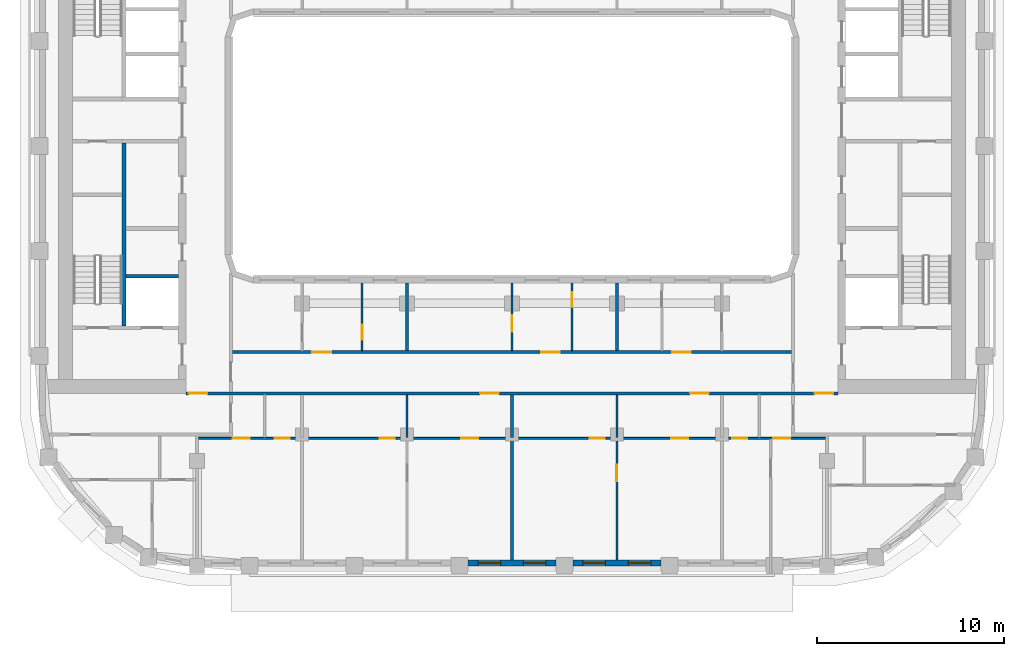
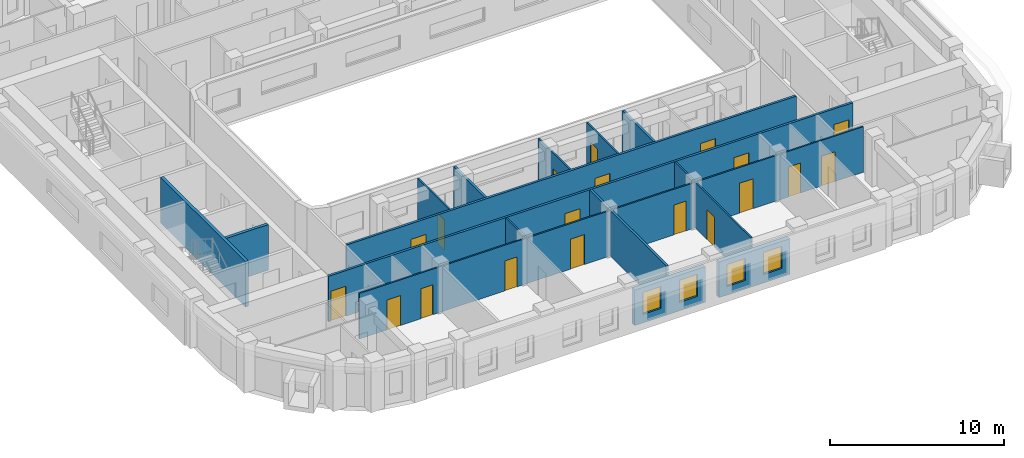
# One storey, part 3 of 21: 19 doors, 17 walls, 4 windows, 23 openings.
"""IFC4 building model written with IfcOpenShell, lengths in metres."""

from ifc_helpers import new_model, si_unit, direction, frame, frame_2d, origin, place, context, subcontext, project, spatial, rectangle, extrude, material, layer, layer_set, type_object, element, fill, save


model = new_model("IFC4")

# Units and contexts
model_context = context("Model", 3, precision=1e-05, world=origin(), true_north=direction((0.0, 1.0)))
body_context = subcontext(model_context, "Body", "Model", "MODEL_VIEW")
ifc_project = project(units=[si_unit("LENGTHUNIT", "METRE"), si_unit("AREAUNIT", "SQUARE_METRE"), si_unit("VOLUMEUNIT", "CUBIC_METRE"), si_unit("PLANEANGLEUNIT", "RADIAN"), si_unit("MASSUNIT", "GRAM", prefix="KILO")], contexts=[model_context])

# Site, building, storey
site_placement = place(None, origin())
site = spatial("IfcSite", under=ifc_project, at=site_placement, CompositionType="ELEMENT")
building_placement = place(site_placement, origin())
building = spatial("IfcBuilding", under=site, at=building_placement, Name="Kiln Ring Residences", CompositionType="ELEMENT")
storey_placement = place(building_placement, frame((0.0, 0.0, 195.89990234375)))
storey = spatial("IfcBuildingStorey", under=building, at=storey_placement, Name="L50", CompositionType="ELEMENT", Elevation=195.89990234375)

# Walls
ifc_material_1 = material(Name="Gypsum shaft wall system")
ifc_layer_1 = layer(ifc_material_1, 0.199951171875)
ifc_layer_set_1 = layer_set([ifc_layer_1], Name="CORE-SHAFT-WALL-200")
wall_type_1 = type_object("IfcWallType", Name="CORE-SHAFT-WALL-200", PredefinedType="PARTITIONING", material=ifc_layer_set_1)
wall_1_placement = place(storey_placement, frame((-17.800048828125, -6.949951171875, 0.0), z_axis=(0.0, 0.0, 1.0), x_axis=(-1.0, 0.0, 0.0)))
element("IfcWall", 1, at=wall_1_placement, inside=storey, type_object=wall_type_1, Name="Core partition west L50 3", PredefinedType="PARTITIONING", context=body_context, shape_type="SweptSolid", body=[
    extrude(rectangle(XDim=2.800048828125, YDim=0.199951171875, at=frame_2d((1.39990234375, 0.0))), origin(), (0.0, 0.0, 1.0), 3.2001953125),
])
ifc_material_2 = material(Name="Concrete C40/50", Category="concrete")
ifc_layer_2 = layer(ifc_material_2, 0.199951171875)
ifc_layer_set_2 = layer_set([ifc_layer_2], Name="CORE-WALL-RC200")
wall_type_2 = type_object("IfcWallType", Name="CORE-WALL-RC200", PredefinedType="SHEAR", material=ifc_layer_set_2)
wall_2_placement = place(storey_placement, frame((-20.699951171875, -9.60009765625, 0.0), z_axis=(0.0, 0.0, 1.0), x_axis=(0.0, 1.0, 0.0)))
element("IfcWall", 2, at=wall_2_placement, inside=storey, type_object=wall_type_2, Name="Core wall west L50 2", PredefinedType="SHEAR", context=body_context, shape_type="SweptSolid", body=[
    extrude(rectangle(XDim=9.75, YDim=0.199951171875, at=frame_2d((4.875, 0.0))), origin(), (0.0, 0.0, 1.0), 3.2001953125),
])

# Wall, openings, windows
ifc_material_3 = material(Name="Brick masonry, dark clay brick", Category="masonry")
ifc_layer_3 = layer(ifc_material_3, 0.300048828125)
ifc_layer_set_3 = layer_set([ifc_layer_3], Name="EW-300 BRICK WALL")
wall_type_3 = type_object("IfcWallType", Name="EW-300 BRICK WALL", PredefinedType="SOLIDWALL", material=ifc_layer_set_3)
wall_3_placement = place(storey_placement, frame((-2.35009765625, -22.25, 0.0), z_axis=(0.0, 0.0, 1.0), x_axis=(1.0, 0.0, 0.0)))
wall_3 = element("IfcWall", 3, at=wall_3_placement, inside=storey, type_object=wall_type_3, Name="Facade wall L50 7", PredefinedType="SOLIDWALL", context=body_context, shape_type="SweptSolid", body=[
    extrude(rectangle(XDim=4.7001953125, YDim=0.300048828125, at=frame_2d((2.35009765625, 0.0))), origin(), (0.0, 0.0, 1.0), 2.5),
])
opening_1_placement = place(wall_3_placement, frame((0.53759765625, 0.0, 0.60009765625)))
opening_1 = element("IfcOpeningElement", 4, at=opening_1_placement, cuts=wall_3, Name="Opening W1", PredefinedType="OPENING", context=body_context, shape_type="SweptSolid", body=[
    extrude(rectangle(XDim=1.199951171875, YDim=1.550048828125, at=frame_2d((0.60009765625, 0.77490234375))), frame((0.0, 0.159912109375, 0.0), z_axis=(0.0, -1.0, 0.0), x_axis=(1.0, 0.0, 0.0)), (0.0, 0.0, 1.0), 0.320068359375),
])
opening_2_placement = place(wall_3_placement, frame((2.96240234375, 0.0, 0.60009765625)))
opening_2 = element("IfcOpeningElement", 5, at=opening_2_placement, cuts=wall_3, Name="Opening W1", PredefinedType="OPENING", context=body_context, shape_type="SweptSolid", body=[
    extrude(rectangle(XDim=1.199951171875, YDim=1.550048828125, at=frame_2d((0.60009765625, 0.77490234375))), frame((0.0, 0.159912109375, 0.0), z_axis=(0.0, -1.0, 0.0), x_axis=(1.0, 0.0, 0.0)), (0.0, 0.0, 1.0), 0.320068359375),
])
ifc_material_4 = material(Name="Aluminium frame with double glazing", Category="aluminium")
window_type = type_object("IfcWindowType", Name="WINDOW 1200 x 1550", PartitioningType="SINGLE_PANEL", PredefinedType="WINDOW", material=ifc_material_4)
window_1_placement = place(opening_1_placement, origin())
window_1 = element("IfcWindow", 6, at=window_1_placement, inside=storey, type_object=window_type, Name="Window L50 8", OverallHeight=1.550048828125, OverallWidth=1.199951171875, PartitioningType="SINGLE_PANEL", PredefinedType="WINDOW", context=body_context, shape_type="SweptSolid", body=[
    extrude(rectangle(XDim=1.199951171875, YDim=1.550048828125, at=frame_2d((0.60009765625, 0.77490234375))), frame((0.0, 0.030029296875, 0.0), z_axis=(0.0, -1.0, 0.0), x_axis=(1.0, 0.0, 0.0)), (0.0, 0.0, 1.0), 0.06005859375),
])
fill(opening_1, window_1)
window_2_placement = place(opening_2_placement, origin())
window_2 = element("IfcWindow", 7, at=window_2_placement, inside=storey, type_object=window_type, Name="Window L50 9", OverallHeight=1.550048828125, OverallWidth=1.199951171875, PartitioningType="SINGLE_PANEL", PredefinedType="WINDOW", context=body_context, shape_type="SweptSolid", body=[
    extrude(rectangle(XDim=1.199951171875, YDim=1.550048828125, at=frame_2d((0.60009765625, 0.77490234375))), frame((0.0, 0.030029296875, 0.0), z_axis=(0.0, -1.0, 0.0), x_axis=(1.0, 0.0, 0.0)), (0.0, 0.0, 1.0), 0.06005859375),
])
fill(opening_2, window_2)

wall_4_placement = place(storey_placement, frame((3.25, -22.25, 0.0), z_axis=(0.0, 0.0, 1.0), x_axis=(1.0, 0.0, 0.0)))
wall_4 = element("IfcWall", 8, at=wall_4_placement, inside=storey, type_object=wall_type_3, Name="Facade wall L50 8", PredefinedType="SOLIDWALL", context=body_context, shape_type="SweptSolid", body=[
    extrude(rectangle(XDim=4.699951171875, YDim=0.300048828125, at=frame_2d((2.35009765625, 0.0))), origin(), (0.0, 0.0, 1.0), 2.5),
])
opening_3_placement = place(wall_4_placement, frame((0.53759765625, 0.0, 0.60009765625)))
opening_3 = element("IfcOpeningElement", 9, at=opening_3_placement, cuts=wall_4, Name="Opening W1", PredefinedType="OPENING", context=body_context, shape_type="SweptSolid", body=[
    extrude(rectangle(XDim=1.199951171875, YDim=1.550048828125, at=frame_2d((0.60009765625, 0.77490234375))), frame((0.0, 0.159912109375, 0.0), z_axis=(0.0, -1.0, 0.0), x_axis=(1.0, 0.0, 0.0)), (0.0, 0.0, 1.0), 0.320068359375),
])
opening_4_placement = place(wall_4_placement, frame((2.96240234375, 0.0, 0.60009765625)))
opening_4 = element("IfcOpeningElement", 10, at=opening_4_placement, cuts=wall_4, Name="Opening W1", PredefinedType="OPENING", context=body_context, shape_type="SweptSolid", body=[
    extrude(rectangle(XDim=1.199951171875, YDim=1.550048828125, at=frame_2d((0.60009765625, 0.77490234375))), frame((0.0, 0.159912109375, 0.0), z_axis=(0.0, -1.0, 0.0), x_axis=(1.0, 0.0, 0.0)), (0.0, 0.0, 1.0), 0.320068359375),
])
window_3_placement = place(opening_3_placement, origin())
window_3 = element("IfcWindow", 11, at=window_3_placement, inside=storey, type_object=window_type, Name="Window L50 10", OverallHeight=1.550048828125, OverallWidth=1.199951171875, PartitioningType="SINGLE_PANEL", PredefinedType="WINDOW", context=body_context, shape_type="SweptSolid", body=[
    extrude(rectangle(XDim=1.199951171875, YDim=1.550048828125, at=frame_2d((0.60009765625, 0.77490234375))), frame((0.0, 0.030029296875, 0.0), z_axis=(0.0, -1.0, 0.0), x_axis=(1.0, 0.0, 0.0)), (0.0, 0.0, 1.0), 0.06005859375),
])
fill(opening_3, window_3)
window_4_placement = place(opening_4_placement, origin())
window_4 = element("IfcWindow", 12, at=window_4_placement, inside=storey, type_object=window_type, Name="Window L50 11", OverallHeight=1.550048828125, OverallWidth=1.199951171875, PartitioningType="SINGLE_PANEL", PredefinedType="WINDOW", context=body_context, shape_type="SweptSolid", body=[
    extrude(rectangle(XDim=1.199951171875, YDim=1.550048828125, at=frame_2d((0.60009765625, 0.77490234375))), frame((0.0, 0.030029296875, 0.0), z_axis=(0.0, -1.0, 0.0), x_axis=(1.0, 0.0, 0.0)), (0.0, 0.0, 1.0), 0.06005859375),
])
fill(opening_4, window_4)

# Wall, openings, doors
ifc_material_5 = material(Name="Gypsum board on steel studs", Category="steel")
ifc_layer_4 = layer(ifc_material_5, 0.10009765625)
ifc_layer_set_4 = layer_set([ifc_layer_4], Name="PARTITION-100")
wall_type_4 = type_object("IfcWallType", Name="PARTITION-100", PredefinedType="PARTITIONING", material=ifc_layer_set_4)
wall_5_placement = place(storey_placement, frame((-16.72509765625, -15.60009765625, 0.0), z_axis=(0.0, 0.0, 1.0), x_axis=(1.0, 0.0, 0.0)))
wall_5 = element("IfcWall", 13, at=wall_5_placement, inside=storey, type_object=wall_type_4, Name="Partition 002", PredefinedType="PARTITIONING", context=body_context, shape_type="SweptSolid", body=[
    extrude(rectangle(XDim=33.4501953125, YDim=0.10009765625, at=frame_2d((16.72509765625, 0.0))), origin(), (0.0, 0.0, 1.0), 3.2001953125),
])
opening_5_placement = place(wall_5_placement, frame((4.074951171875, 0.0, 0.0)))
opening_5 = element("IfcOpeningElement", 14, at=opening_5_placement, cuts=wall_5, Name="Opening L50-D048", PredefinedType="OPENING", context=body_context, shape_type="SweptSolid", body=[
    extrude(rectangle(XDim=0.800048828125, YDim=2.10009765625, at=frame_2d((0.39990234375, 1.050048828125))), frame((0.0, 0.06005859375, 0.0), z_axis=(0.0, -1.0, 0.0), x_axis=(1.0, 0.0, 0.0)), (0.0, 0.0, 1.0), 0.1201171875),
])
opening_6_placement = place(wall_5_placement, frame((1.824951171875, 0.0, 0.0)))
opening_6 = element("IfcOpeningElement", 15, at=opening_6_placement, cuts=wall_5, Name="Opening L50-D049", PredefinedType="OPENING", context=body_context, shape_type="SweptSolid", body=[
    extrude(rectangle(XDim=0.89990234375, YDim=2.10009765625, at=frame_2d((0.449951171875, 1.050048828125))), frame((0.0, 0.06005859375, 0.0), z_axis=(0.0, -1.0, 0.0), x_axis=(1.0, 0.0, 0.0)), (0.0, 0.0, 1.0), 0.1201171875),
])
opening_7_placement = place(wall_5_placement, frame((9.675048828125, 0.0, 0.0)))
opening_7 = element("IfcOpeningElement", 16, at=opening_7_placement, cuts=wall_5, Name="Opening L50-D051", PredefinedType="OPENING", context=body_context, shape_type="SweptSolid", body=[
    extrude(rectangle(XDim=0.800048828125, YDim=2.10009765625, at=frame_2d((0.39990234375, 1.050048828125))), frame((0.0, 0.06005859375, 0.0), z_axis=(0.0, -1.0, 0.0), x_axis=(1.0, 0.0, 0.0)), (0.0, 0.0, 1.0), 0.1201171875),
])
opening_8_placement = place(wall_5_placement, frame((14.02490234375, 0.0, 0.0)))
opening_8 = element("IfcOpeningElement", 17, at=opening_8_placement, cuts=wall_5, Name="Opening L50-D052", PredefinedType="OPENING", context=body_context, shape_type="SweptSolid", body=[
    extrude(rectangle(XDim=0.89990234375, YDim=2.10009765625, at=frame_2d((0.449951171875, 1.050048828125))), frame((0.0, 0.06005859375, 0.0), z_axis=(0.0, -1.0, 0.0), x_axis=(1.0, 0.0, 0.0)), (0.0, 0.0, 1.0), 0.1201171875),
])
opening_9_placement = place(wall_5_placement, frame((20.875, 0.0, 0.0)))
opening_9 = element("IfcOpeningElement", 18, at=opening_9_placement, cuts=wall_5, Name="Opening L50-D055", PredefinedType="OPENING", context=body_context, shape_type="SweptSolid", body=[
    extrude(rectangle(XDim=0.800048828125, YDim=2.10009765625, at=frame_2d((0.39990234375, 1.050048828125))), frame((0.0, 0.06005859375, 0.0), z_axis=(0.0, -1.0, 0.0), x_axis=(1.0, 0.0, 0.0)), (0.0, 0.0, 1.0), 0.1201171875),
])
opening_10_placement = place(wall_5_placement, frame((25.22509765625, 0.0, 0.0)))
opening_10 = element("IfcOpeningElement", 19, at=opening_10_placement, cuts=wall_5, Name="Opening L50-D056", PredefinedType="OPENING", context=body_context, shape_type="SweptSolid", body=[
    extrude(rectangle(XDim=0.89990234375, YDim=2.10009765625, at=frame_2d((0.449951171875, 1.050048828125))), frame((0.0, 0.06005859375, 0.0), z_axis=(0.0, -1.0, 0.0), x_axis=(1.0, 0.0, 0.0)), (0.0, 0.0, 1.0), 0.1201171875),
])
opening_11_placement = place(wall_5_placement, frame((28.47509765625, 0.0, 0.0)))
opening_11 = element("IfcOpeningElement", 20, at=opening_11_placement, cuts=wall_5, Name="Opening L50-D059", PredefinedType="OPENING", context=body_context, shape_type="SweptSolid", body=[
    extrude(rectangle(XDim=0.800048828125, YDim=2.10009765625, at=frame_2d((0.39990234375, 1.050048828125))), frame((0.0, 0.06005859375, 0.0), z_axis=(0.0, -1.0, 0.0), x_axis=(1.0, 0.0, 0.0)), (0.0, 0.0, 1.0), 0.1201171875),
])
opening_12_placement = place(wall_5_placement, frame((30.675048828125, 0.0, 0.0)))
opening_12 = element("IfcOpeningElement", 21, at=opening_12_placement, cuts=wall_5, Name="Opening L50-D060", PredefinedType="OPENING", context=body_context, shape_type="SweptSolid", body=[
    extrude(rectangle(XDim=0.89990234375, YDim=2.10009765625, at=frame_2d((0.449951171875, 1.050048828125))), frame((0.0, 0.06005859375, 0.0), z_axis=(0.0, -1.0, 0.0), x_axis=(1.0, 0.0, 0.0)), (0.0, 0.0, 1.0), 0.1201171875),
])
ifc_material_6 = material(Name="Timber door leaf", Category="wood")
door_type_1 = type_object("IfcDoorType", Name="FLAT-DOOR-800-PL", OperationType="SINGLE_SWING_LEFT", PredefinedType="DOOR", material=ifc_material_6)
door_1_placement = place(opening_5_placement, origin())
door_1 = element("IfcDoor", 22, at=door_1_placement, inside=storey, type_object=door_type_1, Name="Door L50-D048", OperationType="SINGLE_SWING_RIGHT", OverallHeight=2.10009765625, OverallWidth=0.800048828125, PredefinedType="DOOR", context=body_context, shape_type="SweptSolid", body=[
    extrude(rectangle(XDim=0.800048828125, YDim=2.10009765625, at=frame_2d((0.39990234375, 1.050048828125))), frame((0.0, 0.02490234375, 0.0), z_axis=(0.0, -1.0, 0.0), x_axis=(1.0, 0.0, 0.0)), (0.0, 0.0, 1.0), 0.050048828125),
])
fill(opening_5, door_1)
door_2_placement = place(opening_7_placement, origin())
door_2 = element("IfcDoor", 23, at=door_2_placement, inside=storey, type_object=door_type_1, Name="Door L50-D051", OperationType="SINGLE_SWING_LEFT", OverallHeight=2.10009765625, OverallWidth=0.800048828125, PredefinedType="DOOR", context=body_context, shape_type="SweptSolid", body=[
    extrude(rectangle(XDim=0.800048828125, YDim=2.10009765625, at=frame_2d((0.39990234375, 1.050048828125))), frame((0.0, 0.02490234375, 0.0), z_axis=(0.0, -1.0, 0.0), x_axis=(1.0, 0.0, 0.0)), (0.0, 0.0, 1.0), 0.050048828125),
])
fill(opening_7, door_2)
door_3_placement = place(opening_9_placement, origin())
door_3 = element("IfcDoor", 24, at=door_3_placement, inside=storey, type_object=door_type_1, Name="Door L50-D055", OperationType="SINGLE_SWING_LEFT", OverallHeight=2.10009765625, OverallWidth=0.800048828125, PredefinedType="DOOR", context=body_context, shape_type="SweptSolid", body=[
    extrude(rectangle(XDim=0.800048828125, YDim=2.10009765625, at=frame_2d((0.39990234375, 1.050048828125))), frame((0.0, 0.02490234375, 0.0), z_axis=(0.0, -1.0, 0.0), x_axis=(1.0, 0.0, 0.0)), (0.0, 0.0, 1.0), 0.050048828125),
])
fill(opening_9, door_3)
door_4_placement = place(opening_11_placement, origin())
door_4 = element("IfcDoor", 25, at=door_4_placement, inside=storey, type_object=door_type_1, Name="Door L50-D059", OperationType="SINGLE_SWING_LEFT", OverallHeight=2.10009765625, OverallWidth=0.800048828125, PredefinedType="DOOR", context=body_context, shape_type="SweptSolid", body=[
    extrude(rectangle(XDim=0.800048828125, YDim=2.10009765625, at=frame_2d((0.39990234375, 1.050048828125))), frame((0.0, 0.02490234375, 0.0), z_axis=(0.0, -1.0, 0.0), x_axis=(1.0, 0.0, 0.0)), (0.0, 0.0, 1.0), 0.050048828125),
])
fill(opening_11, door_4)
ifc_material_7 = material(Name="Timber door leaf", Category="wood")
door_type_2 = type_object("IfcDoorType", Name="FLAT-DOOR-900-PL", OperationType="SINGLE_SWING_LEFT", PredefinedType="DOOR", material=ifc_material_7)
door_5_placement = place(opening_6_placement, origin())
door_5 = element("IfcDoor", 26, at=door_5_placement, inside=storey, type_object=door_type_2, Name="Door L50-D049", OperationType="SINGLE_SWING_RIGHT", OverallHeight=2.10009765625, OverallWidth=0.89990234375, PredefinedType="DOOR", context=body_context, shape_type="SweptSolid", body=[
    extrude(rectangle(XDim=0.89990234375, YDim=2.10009765625, at=frame_2d((0.449951171875, 1.050048828125))), frame((0.0, 0.02490234375, 0.0), z_axis=(0.0, -1.0, 0.0), x_axis=(1.0, 0.0, 0.0)), (0.0, 0.0, 1.0), 0.050048828125),
])
fill(opening_6, door_5)
door_6_placement = place(opening_8_placement, origin())
door_6 = element("IfcDoor", 27, at=door_6_placement, inside=storey, type_object=door_type_2, Name="Door L50-D052", OperationType="SINGLE_SWING_RIGHT", OverallHeight=2.10009765625, OverallWidth=0.89990234375, PredefinedType="DOOR", context=body_context, shape_type="SweptSolid", body=[
    extrude(rectangle(XDim=0.89990234375, YDim=2.10009765625, at=frame_2d((0.449951171875, 1.050048828125))), frame((0.0, 0.02490234375, 0.0), z_axis=(0.0, -1.0, 0.0), x_axis=(1.0, 0.0, 0.0)), (0.0, 0.0, 1.0), 0.050048828125),
])
fill(opening_8, door_6)
door_7_placement = place(opening_10_placement, origin())
door_7 = element("IfcDoor", 28, at=door_7_placement, inside=storey, type_object=door_type_2, Name="Door L50-D056", OperationType="SINGLE_SWING_RIGHT", OverallHeight=2.10009765625, OverallWidth=0.89990234375, PredefinedType="DOOR", context=body_context, shape_type="SweptSolid", body=[
    extrude(rectangle(XDim=0.89990234375, YDim=2.10009765625, at=frame_2d((0.449951171875, 1.050048828125))), frame((0.0, 0.02490234375, 0.0), z_axis=(0.0, -1.0, 0.0), x_axis=(1.0, 0.0, 0.0)), (0.0, 0.0, 1.0), 0.050048828125),
])
fill(opening_10, door_7)
door_8_placement = place(opening_12_placement, origin())
door_8 = element("IfcDoor", 29, at=door_8_placement, inside=storey, type_object=door_type_2, Name="Door L50-D060", OperationType="SINGLE_SWING_LEFT", OverallHeight=2.10009765625, OverallWidth=0.89990234375, PredefinedType="DOOR", context=body_context, shape_type="SweptSolid", body=[
    extrude(rectangle(XDim=0.89990234375, YDim=2.10009765625, at=frame_2d((0.449951171875, 1.050048828125))), frame((0.0, 0.02490234375, 0.0), z_axis=(0.0, -1.0, 0.0), x_axis=(1.0, 0.0, 0.0)), (0.0, 0.0, 1.0), 0.050048828125),
])
fill(opening_12, door_8)

# Wall, opening, door
wall_6_placement = place(storey_placement, frame((-8.0, -10.925048828125, 0.0), z_axis=(0.0, 0.0, 1.0), x_axis=(0.0, 1.0, 0.0)))
wall_6 = element("IfcWall", 30, at=wall_6_placement, inside=storey, type_object=wall_type_4, Name="Partition 030", PredefinedType="PARTITIONING", context=body_context, shape_type="SweptSolid", body=[
    extrude(rectangle(XDim=3.60498046875, YDim=0.10009765625, at=frame_2d((1.802490234375, 0.0))), origin(), (0.0, 0.0, 1.0), 3.2001953125),
])
opening_13_placement = place(wall_6_placement, frame((0.575927734375, 0.0, 0.0)))
opening_13 = element("IfcOpeningElement", 31, at=opening_13_placement, cuts=wall_6, Name="Opening L50-D039", PredefinedType="OPENING", context=body_context, shape_type="SweptSolid", body=[
    extrude(rectangle(XDim=0.800048828125, YDim=2.10009765625, at=frame_2d((0.39990234375, 1.050048828125))), frame((0.0, 0.06005859375, 0.0), z_axis=(0.0, -1.0, 0.0), x_axis=(1.0, 0.0, 0.0)), (0.0, 0.0, 1.0), 0.1201171875),
])
door_9_placement = place(opening_13_placement, origin())
door_9 = element("IfcDoor", 32, at=door_9_placement, inside=storey, type_object=door_type_1, Name="Door L50-D039", OperationType="SINGLE_SWING_LEFT", OverallHeight=2.10009765625, OverallWidth=0.800048828125, PredefinedType="DOOR", context=body_context, shape_type="SweptSolid", body=[
    extrude(rectangle(XDim=0.800048828125, YDim=2.10009765625, at=frame_2d((0.39990234375, 1.050048828125))), frame((0.0, 0.02490234375, 0.0), z_axis=(0.0, -1.0, 0.0), x_axis=(1.0, 0.0, 0.0)), (0.0, 0.0, 1.0), 0.050048828125),
])
fill(opening_13, door_9)

# Wall
wall_7_placement = place(storey_placement, frame((-5.60009765625, -15.550048828125, 0.0), z_axis=(0.0, 0.0, 1.0), x_axis=(0.0, 1.0, 0.0)))
element("IfcWall", 33, at=wall_7_placement, inside=storey, type_object=wall_type_4, Name="Partition 032", PredefinedType="PARTITIONING", context=body_context, shape_type="SweptSolid", body=[
    extrude(rectangle(XDim=2.275146484375, YDim=0.10009765625, at=frame_2d((1.1376953125, 0.0))), origin(), (0.0, 0.0, 1.0), 3.2001953125),
])

# Wall, opening, door
wall_8_placement = place(storey_placement, frame((0.0, -10.925048828125, 0.0), z_axis=(0.0, 0.0, 1.0), x_axis=(0.0, 1.0, 0.0)))
wall_8 = element("IfcWall", 34, at=wall_8_placement, inside=storey, type_object=wall_type_4, Name="Partition 038", PredefinedType="PARTITIONING", context=body_context, shape_type="SweptSolid", body=[
    extrude(rectangle(XDim=3.60498046875, YDim=0.10009765625, at=frame_2d((1.802490234375, 0.0))), origin(), (0.0, 0.0, 1.0), 3.2001953125),
])
opening_14_placement = place(wall_8_placement, frame((1.0048828125, 0.0, 0.0)))
opening_14 = element("IfcOpeningElement", 35, at=opening_14_placement, cuts=wall_8, Name="Opening L50-D043", PredefinedType="OPENING", context=body_context, shape_type="SweptSolid", body=[
    extrude(rectangle(XDim=0.89990234375, YDim=2.10009765625, at=frame_2d((0.449951171875, 1.050048828125))), frame((0.0, 0.06005859375, 0.0), z_axis=(0.0, -1.0, 0.0), x_axis=(1.0, 0.0, 0.0)), (0.0, 0.0, 1.0), 0.1201171875),
])
door_10_placement = place(opening_14_placement, origin())
door_10 = element("IfcDoor", 36, at=door_10_placement, inside=storey, type_object=door_type_2, Name="Door L50-D043", OperationType="SINGLE_SWING_RIGHT", OverallHeight=2.10009765625, OverallWidth=0.89990234375, PredefinedType="DOOR", context=body_context, shape_type="SweptSolid", body=[
    extrude(rectangle(XDim=0.89990234375, YDim=2.10009765625, at=frame_2d((0.449951171875, 1.050048828125))), frame((0.0, 0.02490234375, 0.0), z_axis=(0.0, -1.0, 0.0), x_axis=(1.0, 0.0, 0.0)), (0.0, 0.0, 1.0), 0.050048828125),
])
fill(opening_14, door_10)

wall_9_placement = place(storey_placement, frame((3.199951171875, -10.925048828125, 0.0), z_axis=(0.0, 0.0, 1.0), x_axis=(0.0, 1.0, 0.0)))
wall_9 = element("IfcWall", 37, at=wall_9_placement, inside=storey, type_object=wall_type_4, Name="Partition 046", PredefinedType="PARTITIONING", context=body_context, shape_type="SweptSolid", body=[
    extrude(rectangle(XDim=3.60498046875, YDim=0.10009765625, at=frame_2d((1.802490234375, 0.0))), origin(), (0.0, 0.0, 1.0), 3.2001953125),
])
opening_15_placement = place(wall_9_placement, frame((2.325927734375, 0.0, 0.0)))
opening_15 = element("IfcOpeningElement", 38, at=opening_15_placement, cuts=wall_9, Name="Opening L50-D042", PredefinedType="OPENING", context=body_context, shape_type="SweptSolid", body=[
    extrude(rectangle(XDim=0.800048828125, YDim=2.10009765625, at=frame_2d((0.39990234375, 1.050048828125))), frame((0.0, 0.06005859375, 0.0), z_axis=(0.0, -1.0, 0.0), x_axis=(1.0, 0.0, 0.0)), (0.0, 0.0, 1.0), 0.1201171875),
])
door_11_placement = place(opening_15_placement, origin())
door_11 = element("IfcDoor", 39, at=door_11_placement, inside=storey, type_object=door_type_1, Name="Door L50-D042", OperationType="SINGLE_SWING_RIGHT", OverallHeight=2.10009765625, OverallWidth=0.800048828125, PredefinedType="DOOR", context=body_context, shape_type="SweptSolid", body=[
    extrude(rectangle(XDim=0.800048828125, YDim=2.10009765625, at=frame_2d((0.39990234375, 1.050048828125))), frame((0.0, 0.02490234375, 0.0), z_axis=(0.0, -1.0, 0.0), x_axis=(1.0, 0.0, 0.0)), (0.0, 0.0, 1.0), 0.050048828125),
])
fill(opening_15, door_11)

wall_10_placement = place(storey_placement, frame((5.60009765625, -22.080078125, 0.0), z_axis=(0.0, 0.0, 1.0), x_axis=(0.0, 1.0, 0.0)))
wall_10 = element("IfcWall", 40, at=wall_10_placement, inside=storey, type_object=wall_type_4, Name="Partition 047", PredefinedType="PARTITIONING", context=body_context, shape_type="SweptSolid", body=[
    extrude(rectangle(XDim=6.43017578125, YDim=0.10009765625, at=frame_2d((3.215087890625, 0.0))), origin(), (0.0, 0.0, 1.0), 3.2001953125),
])
opening_16_placement = place(wall_10_placement, frame((4.179931640625, 0.0, 0.0)))
opening_16 = element("IfcOpeningElement", 41, at=opening_16_placement, cuts=wall_10, Name="Opening L50-D057", PredefinedType="OPENING", context=body_context, shape_type="SweptSolid", body=[
    extrude(rectangle(XDim=0.89990234375, YDim=2.10009765625, at=frame_2d((0.449951171875, 1.050048828125))), frame((0.0, 0.06005859375, 0.0), z_axis=(0.0, -1.0, 0.0), x_axis=(1.0, 0.0, 0.0)), (0.0, 0.0, 1.0), 0.1201171875),
])
door_12_placement = place(opening_16_placement, origin())
door_12 = element("IfcDoor", 42, at=door_12_placement, inside=storey, type_object=door_type_2, Name="Door L50-D057", OperationType="SINGLE_SWING_LEFT", OverallHeight=2.10009765625, OverallWidth=0.89990234375, PredefinedType="DOOR", context=body_context, shape_type="SweptSolid", body=[
    extrude(rectangle(XDim=0.89990234375, YDim=2.10009765625, at=frame_2d((0.449951171875, 1.050048828125))), frame((0.0, 0.02490234375, 0.0), z_axis=(0.0, -1.0, 0.0), x_axis=(1.0, 0.0, 0.0)), (0.0, 0.0, 1.0), 0.050048828125),
])
fill(opening_16, door_12)

# Wall
wall_11_placement = place(storey_placement, frame((5.60009765625, -15.550048828125, 0.0), z_axis=(0.0, 0.0, 1.0), x_axis=(0.0, 1.0, 0.0)))
element("IfcWall", 43, at=wall_11_placement, inside=storey, type_object=wall_type_4, Name="Partition 048", PredefinedType="PARTITIONING", context=body_context, shape_type="SweptSolid", body=[
    extrude(rectangle(XDim=2.275146484375, YDim=0.10009765625, at=frame_2d((1.1376953125, 0.0))), origin(), (0.0, 0.0, 1.0), 3.2001953125),
])

# Wall, openings, doors
ifc_material_8 = material(Name="Brick masonry partition", Category="masonry")
ifc_layer_5 = layer(ifc_material_8, 0.14990234375)
ifc_layer_set_5 = layer_set([ifc_layer_5], Name="PARTITION-150-ei60")
wall_type_5 = type_object("IfcWallType", Name="PARTITION-150-ei60", PredefinedType="PARTITIONING", material=ifc_layer_set_5)
wall_12_placement = place(storey_placement, frame((-17.39990234375, -13.199951171875, 0.0), z_axis=(0.0, 0.0, 1.0), x_axis=(1.0, 0.0, 0.0)))
wall_12 = element("IfcWall", 44, at=wall_12_placement, inside=storey, type_object=wall_type_5, Name="Partition 005", PredefinedType="PARTITIONING", context=body_context, shape_type="SweptSolid", body=[
    extrude(rectangle(XDim=34.7998046875, YDim=0.14990234375, at=frame_2d((17.39990234375, 0.0))), origin(), (0.0, 0.0, 1.0), 3.2001953125),
])
opening_17_placement = place(wall_12_placement, frame((0.14990234375, 0.0, 0.0)))
opening_17 = element("IfcOpeningElement", 45, at=opening_17_placement, cuts=wall_12, Name="Opening L50-D007", PredefinedType="OPENING", context=body_context, shape_type="SweptSolid", body=[
    extrude(rectangle(XDim=1.0, YDim=2.10009765625, at=frame_2d((0.5, 1.050048828125))), frame((0.0, 0.0849609375, 0.0), z_axis=(0.0, -1.0, 0.0), x_axis=(1.0, 0.0, 0.0)), (0.0, 0.0, 1.0), 0.169921875),
])
opening_18_placement = place(wall_12_placement, frame((33.550048828125, 0.0, 0.0)))
opening_18 = element("IfcOpeningElement", 46, at=opening_18_placement, cuts=wall_12, Name="Opening L50-D008", PredefinedType="OPENING", context=body_context, shape_type="SweptSolid", body=[
    extrude(rectangle(XDim=1.0, YDim=2.10009765625, at=frame_2d((0.5, 1.050048828125))), frame((0.0, 0.0849609375, 0.0), z_axis=(0.0, -1.0, 0.0), x_axis=(1.0, 0.0, 0.0)), (0.0, 0.0, 1.0), 0.169921875),
])
opening_19_placement = place(wall_12_placement, frame((15.699951171875, 0.0, 0.0)))
opening_19 = element("IfcOpeningElement", 47, at=opening_19_placement, cuts=wall_12, Name="Opening L50-D050", PredefinedType="OPENING", context=body_context, shape_type="SweptSolid", body=[
    extrude(rectangle(XDim=1.0, YDim=2.10009765625, at=frame_2d((0.5, 1.050048828125))), frame((0.0, 0.0849609375, 0.0), z_axis=(0.0, -1.0, 0.0), x_axis=(1.0, 0.0, 0.0)), (0.0, 0.0, 1.0), 0.169921875),
])
opening_20_placement = place(wall_12_placement, frame((26.89990234375, 0.0, 0.0)))
opening_20 = element("IfcOpeningElement", 48, at=opening_20_placement, cuts=wall_12, Name="Opening L50-D054", PredefinedType="OPENING", context=body_context, shape_type="SweptSolid", body=[
    extrude(rectangle(XDim=1.0, YDim=2.10009765625, at=frame_2d((0.5, 1.050048828125))), frame((0.0, 0.0849609375, 0.0), z_axis=(0.0, -1.0, 0.0), x_axis=(1.0, 0.0, 0.0)), (0.0, 0.0, 1.0), 0.169921875),
])
ifc_material_9 = material(Name="Steel faced fire door leaf", Category="steel")
door_type_3 = type_object("IfcDoorType", Name="FLAT-DOOR-1000-FR", OperationType="SINGLE_SWING_LEFT", PredefinedType="DOOR", material=ifc_material_9)
door_13_placement = place(opening_17_placement, origin())
door_13 = element("IfcDoor", 49, at=door_13_placement, inside=storey, type_object=door_type_3, Name="Door L50-D007", OperationType="SINGLE_SWING_RIGHT", OverallHeight=2.10009765625, OverallWidth=1.0, PredefinedType="DOOR", context=body_context, shape_type="SweptSolid", body=[
    extrude(rectangle(XDim=1.0, YDim=2.10009765625, at=frame_2d((0.5, 1.050048828125))), frame((0.0, 0.02490234375, 0.0), z_axis=(0.0, -1.0, 0.0), x_axis=(1.0, 0.0, 0.0)), (0.0, 0.0, 1.0), 0.050048828125),
])
fill(opening_17, door_13)
door_14_placement = place(opening_18_placement, origin())
door_14 = element("IfcDoor", 50, at=door_14_placement, inside=storey, type_object=door_type_3, Name="Door L50-D008", OperationType="SINGLE_SWING_LEFT", OverallHeight=2.10009765625, OverallWidth=1.0, PredefinedType="DOOR", context=body_context, shape_type="SweptSolid", body=[
    extrude(rectangle(XDim=1.0, YDim=2.10009765625, at=frame_2d((0.5, 1.050048828125))), frame((0.0, 0.02490234375, 0.0), z_axis=(0.0, -1.0, 0.0), x_axis=(1.0, 0.0, 0.0)), (0.0, 0.0, 1.0), 0.050048828125),
])
fill(opening_18, door_14)
door_15_placement = place(opening_19_placement, origin())
door_15 = element("IfcDoor", 51, at=door_15_placement, inside=storey, type_object=door_type_3, Name="Door L50-D050", OperationType="SINGLE_SWING_RIGHT", OverallHeight=2.10009765625, OverallWidth=1.0, PredefinedType="DOOR", context=body_context, shape_type="SweptSolid", body=[
    extrude(rectangle(XDim=1.0, YDim=2.10009765625, at=frame_2d((0.5, 1.050048828125))), frame((0.0, 0.02490234375, 0.0), z_axis=(0.0, -1.0, 0.0), x_axis=(1.0, 0.0, 0.0)), (0.0, 0.0, 1.0), 0.050048828125),
])
fill(opening_19, door_15)
door_16_placement = place(opening_20_placement, origin())
door_16 = element("IfcDoor", 52, at=door_16_placement, inside=storey, type_object=door_type_3, Name="Door L50-D054", OperationType="SINGLE_SWING_RIGHT", OverallHeight=2.10009765625, OverallWidth=1.0, PredefinedType="DOOR", context=body_context, shape_type="SweptSolid", body=[
    extrude(rectangle(XDim=1.0, YDim=2.10009765625, at=frame_2d((0.5, 1.050048828125))), frame((0.0, 0.02490234375, 0.0), z_axis=(0.0, -1.0, 0.0), x_axis=(1.0, 0.0, 0.0)), (0.0, 0.0, 1.0), 0.050048828125),
])
fill(opening_20, door_16)

wall_13_placement = place(storey_placement, frame((-14.925048828125, -11.0, 0.0), z_axis=(0.0, 0.0, 1.0), x_axis=(1.0, 0.0, 0.0)))
wall_13 = element("IfcWall", 53, at=wall_13_placement, inside=storey, type_object=wall_type_5, Name="Partition 006", PredefinedType="PARTITIONING", context=body_context, shape_type="SweptSolid", body=[
    extrude(rectangle(XDim=29.85009765625, YDim=0.14990234375, at=frame_2d((14.925048828125, 0.0))), origin(), (0.0, 0.0, 1.0), 3.2001953125),
])
opening_21_placement = place(wall_13_placement, frame((4.27490234375, 0.0, 0.0)))
opening_21 = element("IfcOpeningElement", 54, at=opening_21_placement, cuts=wall_13, Name="Opening L50-D038", PredefinedType="OPENING", context=body_context, shape_type="SweptSolid", body=[
    extrude(rectangle(XDim=1.0, YDim=2.10009765625, at=frame_2d((0.5, 1.050048828125))), frame((0.0, 0.0849609375, 0.0), z_axis=(0.0, -1.0, 0.0), x_axis=(1.0, 0.0, 0.0)), (0.0, 0.0, 1.0), 0.169921875),
])
opening_22_placement = place(wall_13_placement, frame((16.47509765625, 0.0, 0.0)))
opening_22 = element("IfcOpeningElement", 55, at=opening_22_placement, cuts=wall_13, Name="Opening L50-D041", PredefinedType="OPENING", context=body_context, shape_type="SweptSolid", body=[
    extrude(rectangle(XDim=1.0, YDim=2.10009765625, at=frame_2d((0.5, 1.050048828125))), frame((0.0, 0.0849609375, 0.0), z_axis=(0.0, -1.0, 0.0), x_axis=(1.0, 0.0, 0.0)), (0.0, 0.0, 1.0), 0.169921875),
])
opening_23_placement = place(wall_13_placement, frame((23.47509765625, 0.0, 0.0)))
opening_23 = element("IfcOpeningElement", 56, at=opening_23_placement, cuts=wall_13, Name="Opening L50-D044", PredefinedType="OPENING", context=body_context, shape_type="SweptSolid", body=[
    extrude(rectangle(XDim=1.0, YDim=2.10009765625, at=frame_2d((0.5, 1.050048828125))), frame((0.0, 0.0849609375, 0.0), z_axis=(0.0, -1.0, 0.0), x_axis=(1.0, 0.0, 0.0)), (0.0, 0.0, 1.0), 0.169921875),
])
door_17_placement = place(opening_21_placement, origin())
door_17 = element("IfcDoor", 57, at=door_17_placement, inside=storey, type_object=door_type_3, Name="Door L50-D038", OperationType="SINGLE_SWING_RIGHT", OverallHeight=2.10009765625, OverallWidth=1.0, PredefinedType="DOOR", context=body_context, shape_type="SweptSolid", body=[
    extrude(rectangle(XDim=1.0, YDim=2.10009765625, at=frame_2d((0.5, 1.050048828125))), frame((0.0, 0.02490234375, 0.0), z_axis=(0.0, -1.0, 0.0), x_axis=(1.0, 0.0, 0.0)), (0.0, 0.0, 1.0), 0.050048828125),
])
fill(opening_21, door_17)
door_18_placement = place(opening_22_placement, origin())
door_18 = element("IfcDoor", 58, at=door_18_placement, inside=storey, type_object=door_type_3, Name="Door L50-D041", OperationType="SINGLE_SWING_LEFT", OverallHeight=2.10009765625, OverallWidth=1.0, PredefinedType="DOOR", context=body_context, shape_type="SweptSolid", body=[
    extrude(rectangle(XDim=1.0, YDim=2.10009765625, at=frame_2d((0.5, 1.050048828125))), frame((0.0, 0.02490234375, 0.0), z_axis=(0.0, -1.0, 0.0), x_axis=(1.0, 0.0, 0.0)), (0.0, 0.0, 1.0), 0.050048828125),
])
fill(opening_22, door_18)
door_19_placement = place(opening_23_placement, origin())
door_19 = element("IfcDoor", 59, at=door_19_placement, inside=storey, type_object=door_type_3, Name="Door L50-D044", OperationType="SINGLE_SWING_RIGHT", OverallHeight=2.10009765625, OverallWidth=1.0, PredefinedType="DOOR", context=body_context, shape_type="SweptSolid", body=[
    extrude(rectangle(XDim=1.0, YDim=2.10009765625, at=frame_2d((0.5, 1.050048828125))), frame((0.0, 0.02490234375, 0.0), z_axis=(0.0, -1.0, 0.0), x_axis=(1.0, 0.0, 0.0)), (0.0, 0.0, 1.0), 0.050048828125),
])
fill(opening_23, door_19)

# Walls
wall_14_placement = place(storey_placement, frame((-5.60009765625, -10.925048828125, 0.0), z_axis=(0.0, 0.0, 1.0), x_axis=(0.0, 1.0, 0.0)))
element("IfcWall", 60, at=wall_14_placement, inside=storey, type_object=wall_type_5, Name="Partition 034", PredefinedType="PARTITIONING", context=body_context, shape_type="SweptSolid", body=[
    extrude(rectangle(XDim=3.60498046875, YDim=0.14990234375, at=frame_2d((1.802490234375, 0.0))), origin(), (0.0, 0.0, 1.0), 3.2001953125),
])
wall_15_placement = place(storey_placement, frame((0.0, -22.080078125, 0.0), z_axis=(0.0, 0.0, 1.0), x_axis=(0.0, 1.0, 0.0)))
element("IfcWall", 61, at=wall_15_placement, inside=storey, type_object=wall_type_5, Name="Partition 040", PredefinedType="PARTITIONING", context=body_context, shape_type="SweptSolid", body=[
    extrude(rectangle(XDim=6.43017578125, YDim=0.14990234375, at=frame_2d((3.215087890625, 0.0))), origin(), (0.0, 0.0, 1.0), 3.2001953125),
])
wall_16_placement = place(storey_placement, frame((0.0, -15.550048828125, 0.0), z_axis=(0.0, 0.0, 1.0), x_axis=(0.0, 1.0, 0.0)))
element("IfcWall", 62, at=wall_16_placement, inside=storey, type_object=wall_type_5, Name="Partition 041", PredefinedType="PARTITIONING", context=body_context, shape_type="SweptSolid", body=[
    extrude(rectangle(XDim=2.275146484375, YDim=0.14990234375, at=frame_2d((1.1376953125, 0.0))), origin(), (0.0, 0.0, 1.0), 3.2001953125),
])
wall_17_placement = place(storey_placement, frame((5.60009765625, -10.925048828125, 0.0), z_axis=(0.0, 0.0, 1.0), x_axis=(0.0, 1.0, 0.0)))
element("IfcWall", 63, at=wall_17_placement, inside=storey, type_object=wall_type_5, Name="Partition 050", PredefinedType="PARTITIONING", context=body_context, shape_type="SweptSolid", body=[
    extrude(rectangle(XDim=3.60498046875, YDim=0.14990234375, at=frame_2d((1.802490234375, 0.0))), origin(), (0.0, 0.0, 1.0), 3.2001953125),
])

save(model, "model.ifc")
